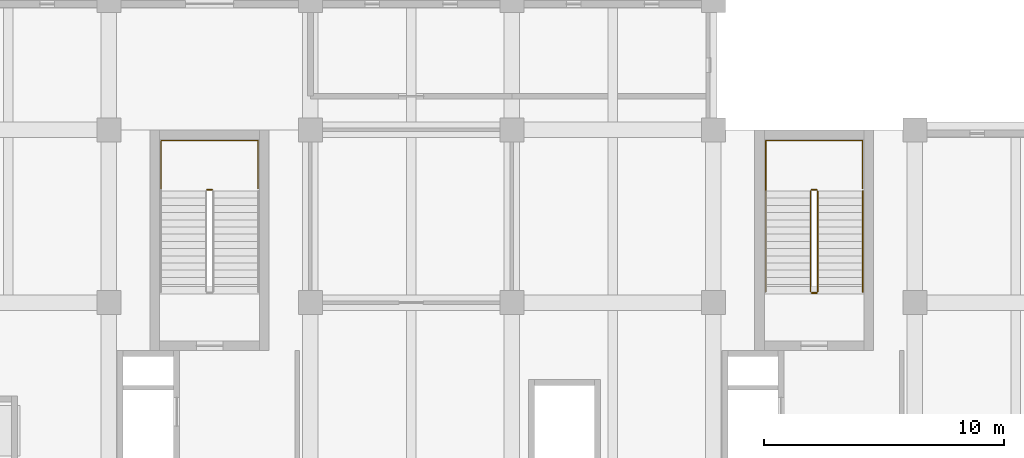
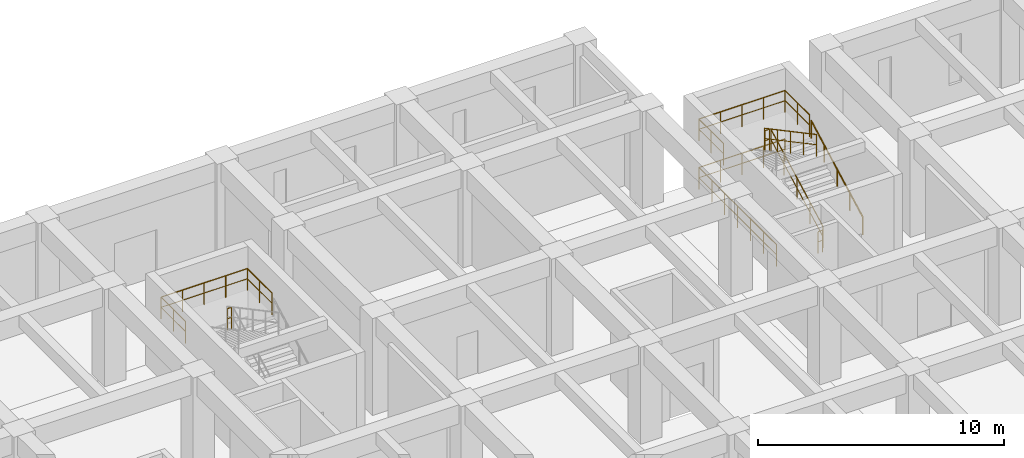
# One storey, part 46 of 49: 9 railings.
"""IFC4 building model written with IfcOpenShell, lengths in metres."""

from ifc_helpers import new_model, si_unit, direction, frame, origin, origin_2d, place, context, subcontext, project, spatial, circle, extrude, material, type_object, element, save


model = new_model("IFC4")

# Units and contexts
model_context = context("Model", 3, precision=1e-05, world=origin(), true_north=direction((0.0, 1.0)))
body_context = subcontext(model_context, "Body", "Model", "MODEL_VIEW")
ifc_project = project(units=[si_unit("LENGTHUNIT", "METRE"), si_unit("AREAUNIT", "SQUARE_METRE"), si_unit("VOLUMEUNIT", "CUBIC_METRE"), si_unit("PLANEANGLEUNIT", "RADIAN"), si_unit("MASSUNIT", "GRAM", prefix="KILO")], contexts=[model_context])

# Site, building, storey
site_placement = place(None, origin())
site = spatial("IfcSite", under=ifc_project, at=site_placement, CompositionType="ELEMENT")
building_placement = place(site_placement, origin())
building = spatial("IfcBuilding", under=site, at=building_placement, Name="Kenerak Square Central Library", CompositionType="ELEMENT")
storey_placement = place(building_placement, origin())
storey = spatial("IfcBuildingStorey", under=building, at=storey_placement, Name="L00", CompositionType="ELEMENT", Elevation=0.0)

# Railings
ifc_material = material(Name="Steel S355", Category="steel")
railing_type_1 = type_object("IfcRailingType", Name="Safety Guardrail GR-1100 S355", PredefinedType="GUARDRAIL", material=ifc_material)
railing_1_placement = place(storey_placement, frame((87.89990234375, 107.89990234375, 2.39990234375)))
element("IfcRailing", 1, at=railing_1_placement, inside=storey, type_object=railing_type_1, Name="L00 ST-02 stair guard 2", PredefinedType="GUARDRAIL", context=body_context, shape_type="SweptSolid", body=[
    extrude(circle(Radius=0.02392578125, at=origin_2d()), frame((0.0, 0.0, 1.076171875), z_axis=(-1.0, 0.0, 0.0), x_axis=(0.0, -1.0, 0.0)), (0.0, 0.0, 1.0), 0.199951171875),
    extrude(circle(Radius=0.01806640625, at=origin_2d()), frame((0.0, 0.0, 0.572021484375), z_axis=(-1.0, 0.0, 0.0), x_axis=(0.0, -1.0, 0.0)), (0.0, 0.0, 1.0), 0.199951171875),
    extrude(circle(Radius=0.02099609375, at=origin_2d()), origin(), (0.0, 0.0, 1.0), 1.052001953125),
    extrude(circle(Radius=0.02099609375, at=origin_2d()), frame((-0.199951171875, 0.0, 0.0)), (0.0, 0.0, 1.0), 1.052001953125),
])
railing_2_placement = place(storey_placement, frame((85.780029296875, 107.949951171875, 2.39990234375)))
element("IfcRailing", 2, at=railing_2_placement, inside=storey, type_object=railing_type_1, Name="Stair Half-Landing Guard ST-02 L00", PredefinedType="GUARDRAIL", context=body_context, shape_type="SweptSolid", body=[
    extrude(circle(Radius=0.02392578125, at=origin_2d()), frame((0.0, 0.0, 1.076171875), z_axis=(0.0, 1.0, 0.0), x_axis=(-1.0, 0.0, 0.0)), (0.0, 0.0, 1.0), 2.0),
    extrude(circle(Radius=0.01806640625, at=origin_2d()), frame((0.0, 0.0, 0.572021484375), z_axis=(0.0, 1.0, 0.0), x_axis=(-1.0, 0.0, 0.0)), (0.0, 0.0, 1.0), 2.0),
    extrude(circle(Radius=0.02392578125, at=origin_2d()), frame((0.0, 2.0, 1.076171875), z_axis=(1.0, 0.0, 0.0), x_axis=(0.0, 1.0, 0.0)), (0.0, 0.0, 1.0), 4.0400390625),
    extrude(circle(Radius=0.01806640625, at=origin_2d()), frame((0.0, 2.0, 0.572021484375), z_axis=(1.0, 0.0, 0.0), x_axis=(0.0, 1.0, 0.0)), (0.0, 0.0, 1.0), 4.0400390625),
    extrude(circle(Radius=0.02392578125, at=origin_2d()), frame((4.0400390625, 2.0, 1.076171875), z_axis=(0.0, -1.0, 0.0), x_axis=(1.0, 0.0, 0.0)), (0.0, 0.0, 1.0), 2.0),
    extrude(circle(Radius=0.01806640625, at=origin_2d()), frame((4.0400390625, 2.0, 0.572021484375), z_axis=(0.0, -1.0, 0.0), x_axis=(1.0, 0.0, 0.0)), (0.0, 0.0, 1.0), 2.0),
    extrude(circle(Radius=0.02099609375, at=origin_2d()), origin(), (0.0, 0.0, 1.0), 1.052001953125),
    extrude(circle(Radius=0.02099609375, at=origin_2d()), frame((0.0, 1.0, 0.0)), (0.0, 0.0, 1.0), 1.052001953125),
    extrude(circle(Radius=0.02099609375, at=origin_2d()), frame((0.0, 2.0, 0.0)), (0.0, 0.0, 1.0), 1.052001953125),
    extrude(circle(Radius=0.02099609375, at=origin_2d()), frame((1.010009765625, 2.0, 0.0)), (0.0, 0.0, 1.0), 1.052001953125),
    extrude(circle(Radius=0.02099609375, at=origin_2d()), frame((2.02001953125, 2.0, 0.0)), (0.0, 0.0, 1.0), 1.052001953125),
    extrude(circle(Radius=0.02099609375, at=origin_2d()), frame((3.030029296875, 2.0, 0.0)), (0.0, 0.0, 1.0), 1.052001953125),
    extrude(circle(Radius=0.02099609375, at=origin_2d()), frame((4.0400390625, 2.0, 0.0)), (0.0, 0.0, 1.0), 1.052001953125),
    extrude(circle(Radius=0.02099609375, at=origin_2d()), frame((4.0400390625, 1.0, 0.0)), (0.0, 0.0, 1.0), 1.052001953125),
    extrude(circle(Radius=0.02099609375, at=origin_2d()), frame((4.0400390625, 0.0, 0.0)), (0.0, 0.0, 1.0), 1.052001953125),
])
railing_3_placement = place(storey_placement, frame((113.14990234375, 103.64990234375, 0.159912109375)))
element("IfcRailing", 3, at=railing_3_placement, inside=storey, type_object=railing_type_1, Name="L00 ST-03 stair guard 1", PredefinedType="GUARDRAIL", context=body_context, shape_type="SweptSolid", body=[
    extrude(circle(Radius=0.02392578125, at=origin_2d()), frame((0.0, 0.0, 1.076171875), z_axis=(0.0, 0.882362879185, 0.470569601054), x_axis=(-1.0, 0.0, 0.0)), (0.0, 0.0, 1.0), 4.76025390625),
    extrude(circle(Radius=0.01806640625, at=origin_2d()), frame((0.0, 0.0, 0.572021484375), z_axis=(0.0, 0.882362879185, 0.470569601054), x_axis=(-1.0, 0.0, 0.0)), (0.0, 0.0, 1.0), 4.76025390625),
    extrude(circle(Radius=0.02099609375, at=origin_2d()), origin(), (0.0, 0.0, 1.0), 1.052001953125),
    extrude(circle(Radius=0.02099609375, at=origin_2d()), frame((0.0, 1.050048828125, 0.56005859375)), (0.0, 0.0, 1.0), 1.052001953125),
    extrude(circle(Radius=0.02099609375, at=origin_2d()), frame((0.0, 2.10009765625, 1.1201171875)), (0.0, 0.0, 1.0), 1.052001953125),
    extrude(circle(Radius=0.02099609375, at=origin_2d()), frame((0.0, 3.150146484375, 1.679931640625)), (0.0, 0.0, 1.0), 1.052001953125),
    extrude(circle(Radius=0.02099609375, at=origin_2d()), frame((0.0, 4.2001953125, 2.239990234375)), (0.0, 0.0, 1.0), 1.052001953125),
])
railing_4_placement = place(storey_placement, frame((113.10009765625, 107.89990234375, 2.39990234375)))
element("IfcRailing", 4, at=railing_4_placement, inside=storey, type_object=railing_type_1, Name="L00 ST-03 stair guard 2", PredefinedType="GUARDRAIL", context=body_context, shape_type="SweptSolid", body=[
    extrude(circle(Radius=0.02392578125, at=origin_2d()), frame((0.0, 0.0, 1.076171875), z_axis=(-1.0, 0.0, 0.0), x_axis=(0.0, -1.0, 0.0)), (0.0, 0.0, 1.0), 0.2001953125),
    extrude(circle(Radius=0.01806640625, at=origin_2d()), frame((0.0, 0.0, 0.572021484375), z_axis=(-1.0, 0.0, 0.0), x_axis=(0.0, -1.0, 0.0)), (0.0, 0.0, 1.0), 0.2001953125),
    extrude(circle(Radius=0.02099609375, at=origin_2d()), origin(), (0.0, 0.0, 1.0), 1.052001953125),
    extrude(circle(Radius=0.02099609375, at=origin_2d()), frame((-0.2001953125, 0.0, 0.0)), (0.0, 0.0, 1.0), 1.052001953125),
])
railing_5_placement = place(storey_placement, frame((112.85009765625, 107.85009765625, 2.56005859375)))
element("IfcRailing", 5, at=railing_5_placement, inside=storey, type_object=railing_type_1, Name="L00 ST-03 stair guard 3", PredefinedType="GUARDRAIL", context=body_context, shape_type="SweptSolid", body=[
    extrude(circle(Radius=0.02392578125, at=origin_2d()), frame((0.0, 0.0, 1.076171875), z_axis=(0.0, -0.882362879185, 0.470569601054), x_axis=(1.0, 0.0, 0.0)), (0.0, 0.0, 1.0), 4.76025390625),
    extrude(circle(Radius=0.01806640625, at=origin_2d()), frame((0.0, 0.0, 0.572021484375), z_axis=(0.0, -0.882362879185, 0.470569601054), x_axis=(1.0, 0.0, 0.0)), (0.0, 0.0, 1.0), 4.76025390625),
    extrude(circle(Radius=0.02099609375, at=origin_2d()), origin(), (0.0, 0.0, 1.0), 1.052001953125),
    extrude(circle(Radius=0.02099609375, at=origin_2d()), frame((0.0, -1.050048828125, 0.56005859375)), (0.0, 0.0, 1.0), 1.052001953125),
    extrude(circle(Radius=0.02099609375, at=origin_2d()), frame((0.0, -2.10009765625, 1.1201171875)), (0.0, 0.0, 1.0), 1.052001953125),
    extrude(circle(Radius=0.02099609375, at=origin_2d()), frame((0.0, -3.150146484375, 1.679931640625)), (0.0, 0.0, 1.0), 1.052001953125),
    extrude(circle(Radius=0.02099609375, at=origin_2d()), frame((0.0, -4.2001953125, 2.239990234375)), (0.0, 0.0, 1.0), 1.052001953125),
])
railing_6_placement = place(storey_placement, frame((113.10009765625, 103.60009765625, 0.0)))
element("IfcRailing", 6, at=railing_6_placement, inside=storey, type_object=railing_type_1, Name="L00 ST-03 stair guard 4", PredefinedType="GUARDRAIL", context=body_context, shape_type="SweptSolid", body=[
    extrude(circle(Radius=0.02392578125, at=origin_2d()), frame((0.0, 0.0, 1.076171875), z_axis=(-1.0, 0.0, 0.0), x_axis=(0.0, -1.0, 0.0)), (0.0, 0.0, 1.0), 0.2001953125),
    extrude(circle(Radius=0.01806640625, at=origin_2d()), frame((0.0, 0.0, 0.572021484375), z_axis=(-1.0, 0.0, 0.0), x_axis=(0.0, -1.0, 0.0)), (0.0, 0.0, 1.0), 0.2001953125),
    extrude(circle(Radius=0.02099609375, at=origin_2d()), origin(), (0.0, 0.0, 1.0), 1.052001953125),
    extrude(circle(Radius=0.02099609375, at=origin_2d()), frame((-0.2001953125, 0.0, 0.0)), (0.0, 0.0, 1.0), 1.052001953125),
])
railing_7_placement = place(storey_placement, frame((110.97998046875, 107.949951171875, 2.39990234375)))
element("IfcRailing", 7, at=railing_7_placement, inside=storey, type_object=railing_type_1, Name="Stair Half-Landing Guard ST-03 L00", PredefinedType="GUARDRAIL", context=body_context, shape_type="SweptSolid", body=[
    extrude(circle(Radius=0.02392578125, at=origin_2d()), frame((0.0, 0.0, 1.076171875), z_axis=(0.0, 1.0, 0.0), x_axis=(-1.0, 0.0, 0.0)), (0.0, 0.0, 1.0), 2.0),
    extrude(circle(Radius=0.01806640625, at=origin_2d()), frame((0.0, 0.0, 0.572021484375), z_axis=(0.0, 1.0, 0.0), x_axis=(-1.0, 0.0, 0.0)), (0.0, 0.0, 1.0), 2.0),
    extrude(circle(Radius=0.02392578125, at=origin_2d()), frame((0.0, 2.0, 1.076171875), z_axis=(1.0, 0.0, 0.0), x_axis=(0.0, 1.0, 0.0)), (0.0, 0.0, 1.0), 4.0400390625),
    extrude(circle(Radius=0.01806640625, at=origin_2d()), frame((0.0, 2.0, 0.572021484375), z_axis=(1.0, 0.0, 0.0), x_axis=(0.0, 1.0, 0.0)), (0.0, 0.0, 1.0), 4.0400390625),
    extrude(circle(Radius=0.02392578125, at=origin_2d()), frame((4.0400390625, 2.0, 1.076171875), z_axis=(0.0, -1.0, 0.0), x_axis=(1.0, 0.0, 0.0)), (0.0, 0.0, 1.0), 2.0),
    extrude(circle(Radius=0.01806640625, at=origin_2d()), frame((4.0400390625, 2.0, 0.572021484375), z_axis=(0.0, -1.0, 0.0), x_axis=(1.0, 0.0, 0.0)), (0.0, 0.0, 1.0), 2.0),
    extrude(circle(Radius=0.02099609375, at=origin_2d()), origin(), (0.0, 0.0, 1.0), 1.052001953125),
    extrude(circle(Radius=0.02099609375, at=origin_2d()), frame((0.0, 1.0, 0.0)), (0.0, 0.0, 1.0), 1.052001953125),
    extrude(circle(Radius=0.02099609375, at=origin_2d()), frame((0.0, 2.0, 0.0)), (0.0, 0.0, 1.0), 1.052001953125),
    extrude(circle(Radius=0.02099609375, at=origin_2d()), frame((1.010009765625, 2.0, 0.0)), (0.0, 0.0, 1.0), 1.052001953125),
    extrude(circle(Radius=0.02099609375, at=origin_2d()), frame((2.02001953125, 2.0, 0.0)), (0.0, 0.0, 1.0), 1.052001953125),
    extrude(circle(Radius=0.02099609375, at=origin_2d()), frame((3.030029296875, 2.0, 0.0)), (0.0, 0.0, 1.0), 1.052001953125),
    extrude(circle(Radius=0.02099609375, at=origin_2d()), frame((4.0400390625, 2.0, 0.0)), (0.0, 0.0, 1.0), 1.052001953125),
    extrude(circle(Radius=0.02099609375, at=origin_2d()), frame((4.0400390625, 1.0, 0.0)), (0.0, 0.0, 1.0), 1.052001953125),
    extrude(circle(Radius=0.02099609375, at=origin_2d()), frame((4.0400390625, 0.0, 0.0)), (0.0, 0.0, 1.0), 1.052001953125),
])
railing_8_placement = place(storey_placement, frame((110.97998046875, 103.64990234375, 0.0)))
element("IfcRailing", 8, at=railing_8_placement, inside=storey, type_object=railing_type_1, Name="Stair Well Floor Guard ST-03 L00", PredefinedType="GUARDRAIL", context=body_context, shape_type="SweptSolid", body=[
    extrude(circle(Radius=0.02392578125, at=origin_2d()), frame((0.0, 0.0, 1.076171875), z_axis=(0.0, 1.0, 0.0), x_axis=(-1.0, 0.0, 0.0)), (0.0, 0.0, 1.0), 6.300048828125),
    extrude(circle(Radius=0.01806640625, at=origin_2d()), frame((0.0, 0.0, 0.572021484375), z_axis=(0.0, 1.0, 0.0), x_axis=(-1.0, 0.0, 0.0)), (0.0, 0.0, 1.0), 6.300048828125),
    extrude(circle(Radius=0.02392578125, at=origin_2d()), frame((0.0, 6.300048828125, 1.076171875), z_axis=(1.0, 0.0, 0.0), x_axis=(0.0, 1.0, 0.0)), (0.0, 0.0, 1.0), 4.0400390625),
    extrude(circle(Radius=0.01806640625, at=origin_2d()), frame((0.0, 6.300048828125, 0.572021484375), z_axis=(1.0, 0.0, 0.0), x_axis=(0.0, 1.0, 0.0)), (0.0, 0.0, 1.0), 4.0400390625),
    extrude(circle(Radius=0.02099609375, at=origin_2d()), origin(), (0.0, 0.0, 1.0), 1.052001953125),
    extrude(circle(Radius=0.02099609375, at=origin_2d()), frame((0.0, 1.050048828125, 0.0)), (0.0, 0.0, 1.0), 1.052001953125),
    extrude(circle(Radius=0.02099609375, at=origin_2d()), frame((0.0, 2.10009765625, 0.0)), (0.0, 0.0, 1.0), 1.052001953125),
    extrude(circle(Radius=0.02099609375, at=origin_2d()), frame((0.0, 3.14990234375, 0.0)), (0.0, 0.0, 1.0), 1.052001953125),
    extrude(circle(Radius=0.02099609375, at=origin_2d()), frame((0.0, 4.199951171875, 0.0)), (0.0, 0.0, 1.0), 1.052001953125),
    extrude(circle(Radius=0.02099609375, at=origin_2d()), frame((0.0, 5.25, 0.0)), (0.0, 0.0, 1.0), 1.052001953125),
    extrude(circle(Radius=0.02099609375, at=origin_2d()), frame((0.0, 6.300048828125, 0.0)), (0.0, 0.0, 1.0), 1.052001953125),
    extrude(circle(Radius=0.02099609375, at=origin_2d()), frame((1.010009765625, 6.300048828125, 0.0)), (0.0, 0.0, 1.0), 1.052001953125),
    extrude(circle(Radius=0.02099609375, at=origin_2d()), frame((2.02001953125, 6.300048828125, 0.0)), (0.0, 0.0, 1.0), 1.052001953125),
    extrude(circle(Radius=0.02099609375, at=origin_2d()), frame((3.030029296875, 6.300048828125, 0.0)), (0.0, 0.0, 1.0), 1.052001953125),
    extrude(circle(Radius=0.02099609375, at=origin_2d()), frame((4.0400390625, 6.300048828125, 0.0)), (0.0, 0.0, 1.0), 1.052001953125),
])
railing_type_2 = type_object("IfcRailingType", Name="Stair Handrail HR-880 S355", PredefinedType="HANDRAIL", material=ifc_material)
railing_9_placement = place(storey_placement, frame((115.030029296875, 103.64990234375, 0.159912109375)))
element("IfcRailing", 9, at=railing_9_placement, inside=storey, type_object=railing_type_2, Name="L00 ST-03 stair handrail 1", PredefinedType="HANDRAIL", context=body_context, shape_type="SweptSolid", body=[
    extrude(circle(Radius=0.02392578125, at=origin_2d()), frame((0.0, 0.0, 0.85595703125), z_axis=(0.0, 0.882362879185, 0.470569601054), x_axis=(-1.0, 0.0, 0.0)), (0.0, 0.0, 1.0), 4.76025390625),
    extrude(circle(Radius=0.02099609375, at=origin_2d()), origin(), (0.0, 0.0, 1.0), 0.831787109375),
    extrude(circle(Radius=0.02099609375, at=origin_2d()), frame((0.0, 1.050048828125, 0.56005859375)), (0.0, 0.0, 1.0), 0.831787109375),
    extrude(circle(Radius=0.02099609375, at=origin_2d()), frame((0.0, 2.10009765625, 1.1201171875)), (0.0, 0.0, 1.0), 0.831787109375),
    extrude(circle(Radius=0.02099609375, at=origin_2d()), frame((0.0, 3.150146484375, 1.679931640625)), (0.0, 0.0, 1.0), 0.831787109375),
    extrude(circle(Radius=0.02099609375, at=origin_2d()), frame((0.0, 4.2001953125, 2.239990234375)), (0.0, 0.0, 1.0), 0.831787109375),
])

save(model, "model.ifc")
